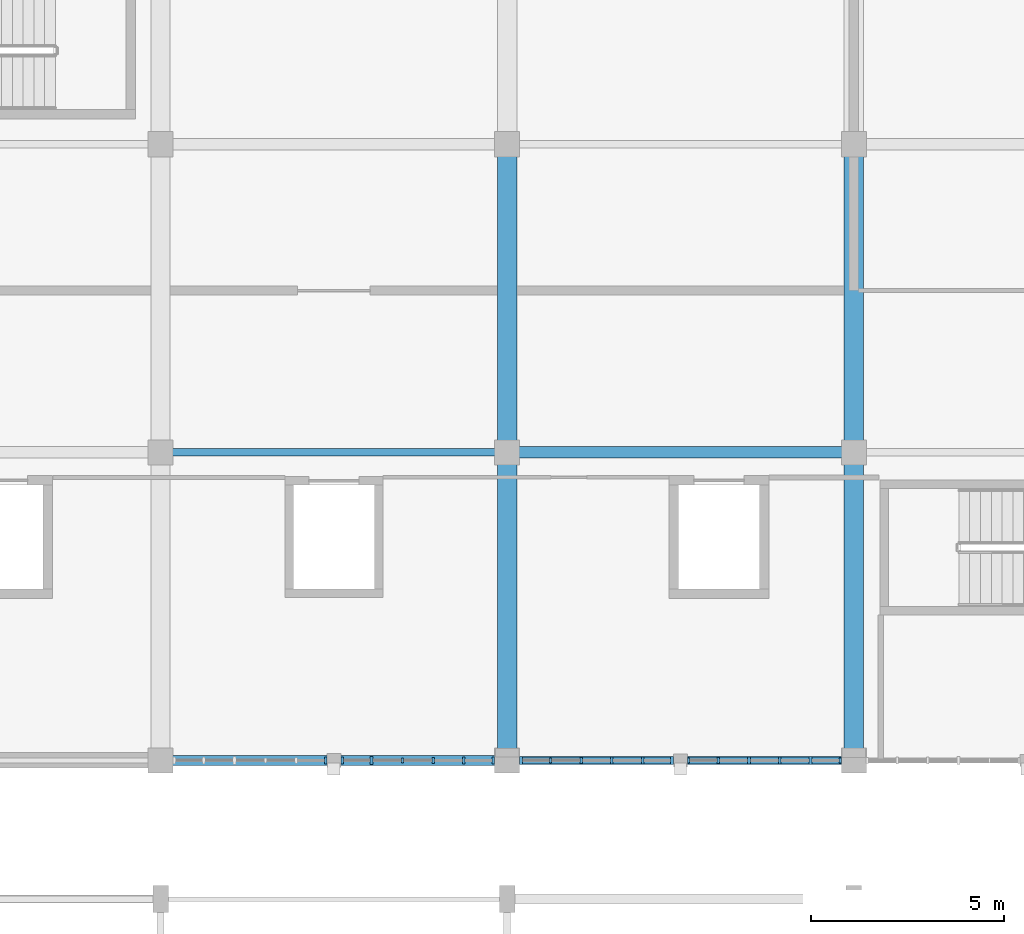
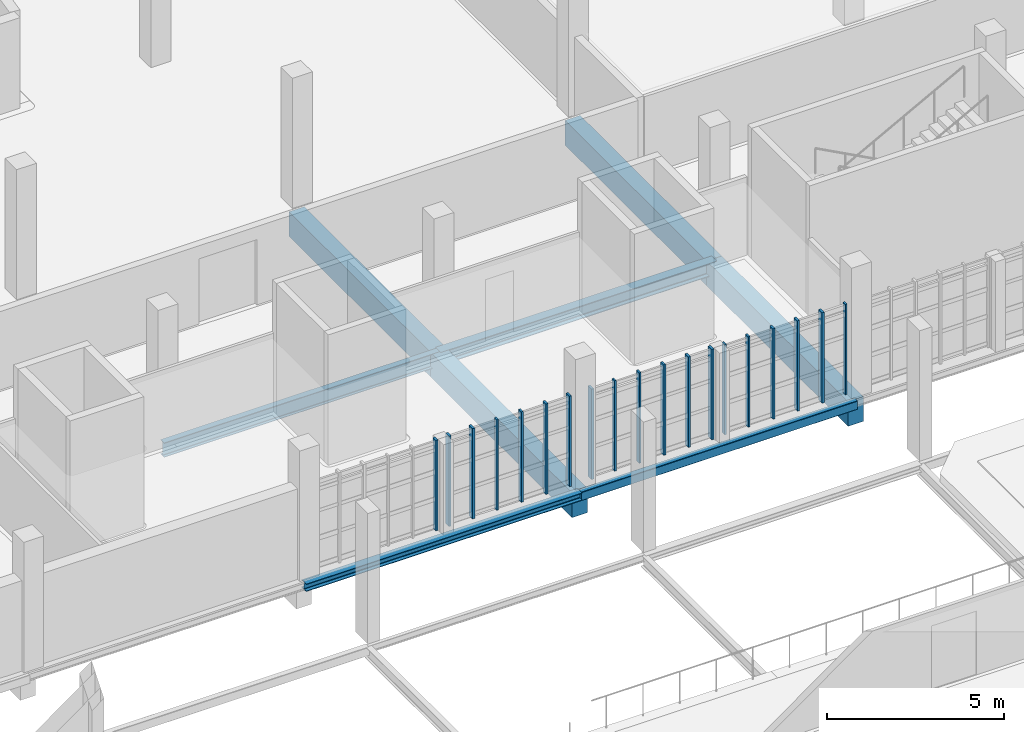
# One storey, part 20 of 125: 19 members, 8 beams, 4 elements without a shape of their own.
"""IFC4 building model written with IfcOpenShell, lengths in metres."""

from ifc_helpers import new_model, si_unit, direction, frame, origin, origin_2d, place, context, subcontext, project, spatial, rectangle, hollow_rectangle, i_section, extrude, material, material_profile, profile_set, type_object, element, aggregate, save


model = new_model("IFC4")

# Units and contexts
model_context = context("Model", 3, precision=1e-05, world=origin(), true_north=direction((0.0, 1.0)))
body_context = subcontext(model_context, "Body", "Model", "MODEL_VIEW")
ifc_project = project(units=[si_unit("LENGTHUNIT", "METRE"), si_unit("AREAUNIT", "SQUARE_METRE"), si_unit("VOLUMEUNIT", "CUBIC_METRE"), si_unit("PLANEANGLEUNIT", "RADIAN"), si_unit("MASSUNIT", "GRAM", prefix="KILO")], contexts=[model_context])

# Site, building, storey
site_placement = place(None, origin())
site = spatial("IfcSite", under=ifc_project, at=site_placement, CompositionType="ELEMENT")
building_placement = place(site_placement, origin())
building = spatial("IfcBuilding", under=site, at=building_placement, Name="Serraforn Aerial Cableway Station", CompositionType="ELEMENT")
storey_placement = place(building_placement, frame((0.0, 0.0, 4.5)))
storey = spatial("IfcBuildingStorey", under=building, at=storey_placement, Name="L01", CompositionType="ELEMENT", Elevation=4.5)

# Beams
ifc_material_1 = material(Name="Concrete C35/45", Category="concrete")
ifc_material_profile_1 = material_profile(ifc_material_1, rectangle(XDim=0.5, YDim=0.85009765625, at=origin_2d()), Name="RC 500x850")
ifc_profile_set_1 = profile_set([ifc_material_profile_1], Name="Concrete C35/45")
beam_type_1 = type_object("IfcBeamType", Name="BM-RC-500x850", PredefinedType="USERDEFINED", material=ifc_profile_set_1)
for number, where, z_axis, x_axis, name in (
    (1, (54.60009765625, 18.0, -0.7451171875), (0.0, 1.0, 0.0), (-1.0, 0.0, 0.0), "Grid Girder Y CV L01 X4-1"),
    (2, (54.60009765625, 26.0, -0.7451171875), (0.0, 1.0, 0.0), (-1.0, 0.0, 0.0), "Grid Girder Y CV L01 X4-2"),
    (3, (63.60009765625, 18.0, -0.7451171875), (0.0, 1.0, 0.0), (-1.0, 0.0, 0.0), "Grid Girder Y CV L01 X5-1"),
    (4, (63.60009765625, 26.0, -0.7451171875), (0.0, 1.0, 0.0), (-1.0, 0.0, 0.0), "Grid Girder Y CV L01 X5-2"),
):
    element("IfcBeam", number, at=place(storey_placement, frame(where, z_axis=z_axis, x_axis=x_axis)), inside=storey, type_object=beam_type_1, Name=name, ObjectType="GIRDER", PredefinedType="USERDEFINED", context=body_context, shape_type="SweptSolid", body=[
        extrude(rectangle(XDim=0.5, YDim=0.85009765625, at=origin_2d()), origin(), (0.0, 0.0, 1.0), 8.0),
    ])
ifc_material_2 = material(Name="Steel S355JR", Category="steel")
ifc_material_profile_2 = material_profile(ifc_material_2, i_section(OverallWidth=0.300048828125, OverallDepth=0.449951171875, WebThickness=0.011474609375, FlangeThickness=0.02099609375, FilletRadius=0.027099609375, at=origin_2d()), Name="HEA 450")
ifc_profile_set_2 = profile_set([ifc_material_profile_2], Name="Steel S355JR")
beam_type_2 = type_object("IfcBeamType", Name="BM-ST-HEA450", PredefinedType="USERDEFINED", material=ifc_profile_set_2)
beam_1_placement = place(storey_placement, frame((54.60009765625, 26.0, -0.544921875), z_axis=(1.0, 0.0, 0.0), x_axis=(0.0, 1.0, 0.0)))
element("IfcBeam", 5, at=beam_1_placement, inside=storey, type_object=beam_type_2, Name="Grid Girder X CV L01 Y2-4", ObjectType="GIRDER", PredefinedType="USERDEFINED", context=body_context, shape_type="SweptSolid", body=[
    extrude(i_section(OverallWidth=0.300048828125, OverallDepth=0.449951171875, WebThickness=0.011474609375, FlangeThickness=0.02099609375, FilletRadius=0.027099609375, at=origin_2d()), origin(), (0.0, 0.0, 1.0), 9.0),
])
ifc_material_3 = material(Name="Steel S355J2", Category="steel")
ifc_material_profile_3 = material_profile(ifc_material_3, i_section(OverallWidth=0.260009765625, OverallDepth=0.260009765625, WebThickness=0.010009765625, FlangeThickness=0.017578125, FilletRadius=0.02392578125, at=origin_2d()), Name="HEB 260")
ifc_profile_set_3 = profile_set([ifc_material_profile_3], Name="Steel S355J2")
beam_type_3 = type_object("IfcBeamType", Name="BM-ST-HEB260", PredefinedType="BEAM", material=ifc_profile_set_3)
beam_2_placement = place(storey_placement, frame((45.60009765625, 18.0, -0.449951171875), z_axis=(1.0, 0.0, 0.0), x_axis=(0.0, 1.0, 0.0)))
element("IfcBeam", 6, at=beam_2_placement, inside=storey, type_object=beam_type_3, Name="Grid Girder X CV L01 Y1-3", PredefinedType="BEAM", context=body_context, shape_type="SweptSolid", body=[
    extrude(i_section(OverallWidth=0.260009765625, OverallDepth=0.260009765625, WebThickness=0.010009765625, FlangeThickness=0.017578125, FilletRadius=0.02392578125, at=origin_2d()), origin(), (0.0, 0.0, 1.0), 9.0),
])
ifc_material_profile_4 = material_profile(ifc_material_2, i_section(OverallWidth=0.199951171875, OverallDepth=0.5, WebThickness=0.01025390625, FlangeThickness=0.01611328125, FilletRadius=0.02099609375, at=origin_2d()), Name="IPE 500")
ifc_profile_set_4 = profile_set([ifc_material_profile_4], Name="Steel S355JR")
beam_type_4 = type_object("IfcBeamType", Name="BM-ST-IPE500", PredefinedType="USERDEFINED", material=ifc_profile_set_4)
beam_3_placement = place(storey_placement, frame((45.60009765625, 26.0, -0.570068359375), z_axis=(1.0, 0.0, 0.0), x_axis=(0.0, 1.0, 0.0)))
element("IfcBeam", 7, at=beam_3_placement, inside=storey, type_object=beam_type_4, Name="Grid Girder X CV L01 Y2-3", ObjectType="GIRDER", PredefinedType="USERDEFINED", context=body_context, shape_type="SweptSolid", body=[
    extrude(i_section(OverallWidth=0.199951171875, OverallDepth=0.5, WebThickness=0.01025390625, FlangeThickness=0.01611328125, FilletRadius=0.02099609375, at=origin_2d()), origin(), (0.0, 0.0, 1.0), 9.0),
])
ifc_material_profile_5 = material_profile(ifc_material_3, hollow_rectangle(XDim=0.199951171875, YDim=0.300048828125, WallThickness=0.012451171875, InnerFilletRadius=0.012451171875, OuterFilletRadius=0.02490234375, at=origin_2d()), Name="RHS 300x200x12.5")
ifc_profile_set_5 = profile_set([ifc_material_profile_5], Name="Steel S355J2")
beam_type_5 = type_object("IfcBeamType", Name="BM-ST-RHS300", PredefinedType="SPANDREL", material=ifc_profile_set_5)
beam_4_placement = place(storey_placement, frame((54.60009765625, 18.0, -0.469970703125), z_axis=(1.0, 0.0, 0.0), x_axis=(0.0, 1.0, 0.0)))
element("IfcBeam", 8, at=beam_4_placement, inside=storey, type_object=beam_type_5, Name="Grid Girder X CV L01 Y1-4", PredefinedType="SPANDREL", context=body_context, shape_type="SweptSolid", body=[
    extrude(hollow_rectangle(XDim=0.199951171875, YDim=0.300048828125, WallThickness=0.012451171875, InnerFilletRadius=0.012451171875, OuterFilletRadius=0.02490234375, at=origin_2d()), origin(), (0.0, 0.0, 1.0), 9.0),
])

# Curtain wall, member
ifc_material_4 = material(Name="Anodised bronze unitised curtain wall")
curtain_wall_type_1 = type_object("IfcCurtainWallType", Name="CW-SYS-22", PredefinedType="USERDEFINED", material=ifc_material_4)
curtain_wall_1_placement = place(storey_placement, origin())
curtain_wall_1 = element("IfcCurtainWall", 9, at=curtain_wall_1_placement, inside=storey, type_object=curtain_wall_type_1, Name="Unitised Curtain Wall CW-CV-L01-S3B", ObjectType="UNITISED CURTAIN WALL", PredefinedType="USERDEFINED")
ifc_material_5 = material(Name="Anodised bronze extruded aluminium", Category="aluminium")
ifc_material_profile_6 = material_profile(ifc_material_5, rectangle(XDim=0.054931640625, YDim=0.139892578125, at=origin_2d()), Name="CW MULLION 55x140")
ifc_profile_set_6 = profile_set([ifc_material_profile_6], Name="Anodised bronze extruded aluminium")
member_type_1 = type_object("IfcMemberType", Name="CW-MUL-1", PredefinedType="MULLION", material=ifc_profile_set_6)
member_1_placement = place(storey_placement, frame((51.87890625, 18.0, 0.0), z_axis=(0.0, 0.0, 1.0), x_axis=(1.0, 0.0, 0.0)))
member_1 = element("IfcMember", 10, at=member_1_placement, type_object=member_type_1, Name="Curtain Wall Mullion CW-CV-L01-S3B-M3", PredefinedType="MULLION", context=body_context, shape_type="SweptSolid", body=[
    extrude(rectangle(XDim=0.054931640625, YDim=0.139892578125, at=origin_2d()), origin(), (0.0, 0.0, 1.0), 3.1201171875),
])

curtain_wall_type_2 = type_object("IfcCurtainWallType", Name="CW-SYS-23", PredefinedType="USERDEFINED", material=ifc_material_4)
curtain_wall_2_placement = place(storey_placement, origin())
curtain_wall_2 = element("IfcCurtainWall", 11, at=curtain_wall_2_placement, inside=storey, type_object=curtain_wall_type_2, Name="Unitised Curtain Wall CW-CV-L01-S4A", ObjectType="UNITISED CURTAIN WALL", PredefinedType="USERDEFINED")
member_2_placement = place(storey_placement, frame((55.722412109375, 18.0, 0.0), z_axis=(0.0, 0.0, 1.0), x_axis=(1.0, 0.0, 0.0)))
member_2 = element("IfcMember", 12, at=member_2_placement, type_object=member_type_1, Name="Curtain Wall Mullion CW-CV-L01-S4A-M2", PredefinedType="MULLION", context=body_context, shape_type="SweptSolid", body=[
    extrude(rectangle(XDim=0.054931640625, YDim=0.139892578125, at=origin_2d()), origin(), (0.0, 0.0, 1.0), 3.1201171875),
])

# Curtain wall, members
curtain_wall_type_3 = type_object("IfcCurtainWallType", Name="CW-SYS-24", PredefinedType="USERDEFINED", material=ifc_material_4)
curtain_wall_3_placement = place(storey_placement, origin())
curtain_wall_3 = element("IfcCurtainWall", 13, at=curtain_wall_3_placement, inside=storey, type_object=curtain_wall_type_3, Name="Unitised Curtain Wall CW-CV-L01-S4B", ObjectType="UNITISED CURTAIN WALL", PredefinedType="USERDEFINED")
member_3_placement = place(storey_placement, frame((59.3076171875, 18.0, 0.0), z_axis=(0.0, 0.0, 1.0), x_axis=(1.0, 0.0, 0.0)))
member_3 = element("IfcMember", 14, at=member_3_placement, type_object=member_type_1, Name="Curtain Wall Mullion CW-CV-L01-S4B-M1", PredefinedType="MULLION", context=body_context, shape_type="SweptSolid", body=[
    extrude(rectangle(XDim=0.054931640625, YDim=0.139892578125, at=origin_2d()), origin(), (0.0, 0.0, 1.0), 3.1201171875),
])
member_4_placement = place(storey_placement, frame((63.24951171875, 18.0, 0.0), z_axis=(0.0, 0.0, 1.0), x_axis=(1.0, 0.0, 0.0)))
member_4 = element("IfcMember", 15, at=member_4_placement, type_object=member_type_1, Name="Curtain Wall Mullion CW-CV-L01-S4B-M6", PredefinedType="MULLION", context=body_context, shape_type="SweptSolid", body=[
    extrude(rectangle(XDim=0.054931640625, YDim=0.139892578125, at=origin_2d()), origin(), (0.0, 0.0, 1.0), 3.1201171875),
])

# Member
ifc_material_profile_7 = material_profile(ifc_material_5, rectangle(XDim=0.06005859375, YDim=0.159912109375, at=origin_2d()), Name="CW MULLION 60x160")
ifc_profile_set_7 = profile_set([ifc_material_profile_7], Name="Anodised bronze extruded aluminium")
member_type_2 = type_object("IfcMemberType", Name="CW-MUL-2", PredefinedType="MULLION", material=ifc_profile_set_7)
member_5_placement = place(storey_placement, frame((52.67822265625, 18.0, 0.0), z_axis=(0.0, 0.0, 1.0), x_axis=(1.0, 0.0, 0.0)))
member_5 = element("IfcMember", 16, at=member_5_placement, type_object=member_type_2, Name="Curtain Wall Mullion CW-CV-L01-S3B-M4", PredefinedType="MULLION", context=body_context, shape_type="SweptSolid", body=[
    extrude(rectangle(XDim=0.06005859375, YDim=0.159912109375, at=origin_2d()), origin(), (0.0, 0.0, 1.0), 3.1201171875),
])

member_6_placement = place(storey_placement, frame((56.521728515625, 18.0, 0.0), z_axis=(0.0, 0.0, 1.0), x_axis=(1.0, 0.0, 0.0)))
member_6 = element("IfcMember", 17, at=member_6_placement, type_object=member_type_2, Name="Curtain Wall Mullion CW-CV-L01-S4A-M3", PredefinedType="MULLION", context=body_context, shape_type="SweptSolid", body=[
    extrude(rectangle(XDim=0.06005859375, YDim=0.159912109375, at=origin_2d()), origin(), (0.0, 0.0, 1.0), 3.1201171875),
])

member_7_placement = place(storey_placement, frame((60.079345703125, 18.0, 0.0), z_axis=(0.0, 0.0, 1.0), x_axis=(1.0, 0.0, 0.0)))
member_7 = element("IfcMember", 18, at=member_7_placement, type_object=member_type_2, Name="Curtain Wall Mullion CW-CV-L01-S4B-M2", PredefinedType="MULLION", context=body_context, shape_type="SweptSolid", body=[
    extrude(rectangle(XDim=0.06005859375, YDim=0.159912109375, at=origin_2d()), origin(), (0.0, 0.0, 1.0), 3.1201171875),
])

# Curtain wall, member
curtain_wall_type_4 = type_object("IfcCurtainWallType", Name="CW-SYS-21", PredefinedType="USERDEFINED", material=ifc_material_4)
curtain_wall_4_placement = place(storey_placement, origin())
curtain_wall_4 = element("IfcCurtainWall", 19, at=curtain_wall_4_placement, inside=storey, type_object=curtain_wall_type_4, Name="Unitised Curtain Wall CW-CV-L01-S3A", ObjectType="UNITISED CURTAIN WALL", PredefinedType="USERDEFINED")
ifc_material_profile_8 = material_profile(ifc_material_5, rectangle(XDim=0.06494140625, YDim=0.175048828125, at=origin_2d()), Name="CW MULLION 65x175")
ifc_profile_set_8 = profile_set([ifc_material_profile_8], Name="Anodised bronze extruded aluminium")
member_type_3 = type_object("IfcMemberType", Name="CW-MUL-3", PredefinedType="MULLION", material=ifc_profile_set_8)
member_8_placement = place(storey_placement, frame((49.887451171875, 18.0, 0.0), z_axis=(0.0, 0.0, 1.0), x_axis=(1.0, 0.0, 0.0)))
member_8 = element("IfcMember", 20, at=member_8_placement, type_object=member_type_3, Name="Curtain Wall Mullion CW-CV-L01-S3A-M6", PredefinedType="MULLION", context=body_context, shape_type="SweptSolid", body=[
    extrude(rectangle(XDim=0.06494140625, YDim=0.175048828125, at=origin_2d()), origin(), (0.0, 0.0, 1.0), 3.1201171875),
])
aggregate(curtain_wall_4, [member_8])

# Member
member_9_placement = place(storey_placement, frame((53.4775390625, 18.0, 0.0), z_axis=(0.0, 0.0, 1.0), x_axis=(1.0, 0.0, 0.0)))
member_9 = element("IfcMember", 21, at=member_9_placement, type_object=member_type_3, Name="Curtain Wall Mullion CW-CV-L01-S3B-M5", PredefinedType="MULLION", context=body_context, shape_type="SweptSolid", body=[
    extrude(rectangle(XDim=0.06494140625, YDim=0.175048828125, at=origin_2d()), origin(), (0.0, 0.0, 1.0), 3.1201171875),
])

member_10_placement = place(storey_placement, frame((57.3212890625, 18.0, 0.0), z_axis=(0.0, 0.0, 1.0), x_axis=(1.0, 0.0, 0.0)))
member_10 = element("IfcMember", 22, at=member_10_placement, type_object=member_type_3, Name="Curtain Wall Mullion CW-CV-L01-S4A-M4", PredefinedType="MULLION", context=body_context, shape_type="SweptSolid", body=[
    extrude(rectangle(XDim=0.06494140625, YDim=0.175048828125, at=origin_2d()), origin(), (0.0, 0.0, 1.0), 3.1201171875),
])

member_11_placement = place(storey_placement, frame((60.87890625, 18.0, 0.0), z_axis=(0.0, 0.0, 1.0), x_axis=(1.0, 0.0, 0.0)))
member_11 = element("IfcMember", 23, at=member_11_placement, type_object=member_type_3, Name="Curtain Wall Mullion CW-CV-L01-S4B-M3", PredefinedType="MULLION", context=body_context, shape_type="SweptSolid", body=[
    extrude(rectangle(XDim=0.06494140625, YDim=0.175048828125, at=origin_2d()), origin(), (0.0, 0.0, 1.0), 3.1201171875),
])

ifc_material_profile_9 = material_profile(ifc_material_5, rectangle(XDim=0.070068359375, YDim=0.18994140625, at=origin_2d()), Name="CW MULLION 70x190")
ifc_profile_set_9 = profile_set([ifc_material_profile_9], Name="Anodised bronze extruded aluminium")
member_type_4 = type_object("IfcMemberType", Name="CW-MUL-4", PredefinedType="MULLION", material=ifc_profile_set_9)
member_12_placement = place(storey_placement, frame((50.31494140625, 18.0, 0.0), z_axis=(0.0, 0.0, 1.0), x_axis=(1.0, 0.0, 0.0)))
member_12 = element("IfcMember", 24, at=member_12_placement, type_object=member_type_4, Name="Curtain Wall Mullion CW-CV-L01-S3B-M1", PredefinedType="MULLION", context=body_context, shape_type="SweptSolid", body=[
    extrude(rectangle(XDim=0.070068359375, YDim=0.18994140625, at=origin_2d()), origin(), (0.0, 0.0, 1.0), 3.1201171875),
])

member_13_placement = place(storey_placement, frame((54.241943359375, 18.0, 0.0), z_axis=(0.0, 0.0, 1.0), x_axis=(1.0, 0.0, 0.0)))
member_13 = element("IfcMember", 25, at=member_13_placement, type_object=member_type_4, Name="Curtain Wall Mullion CW-CV-L01-S3B-M6", PredefinedType="MULLION", context=body_context, shape_type="SweptSolid", body=[
    extrude(rectangle(XDim=0.070068359375, YDim=0.18994140625, at=origin_2d()), origin(), (0.0, 0.0, 1.0), 3.1201171875),
])

member_14_placement = place(storey_placement, frame((58.12060546875, 18.0, 0.0), z_axis=(0.0, 0.0, 1.0), x_axis=(1.0, 0.0, 0.0)))
member_14 = element("IfcMember", 26, at=member_14_placement, type_object=member_type_4, Name="Curtain Wall Mullion CW-CV-L01-S4A-M5", PredefinedType="MULLION", context=body_context, shape_type="SweptSolid", body=[
    extrude(rectangle(XDim=0.070068359375, YDim=0.18994140625, at=origin_2d()), origin(), (0.0, 0.0, 1.0), 3.1201171875),
])

member_15_placement = place(storey_placement, frame((61.67822265625, 18.0, 0.0), z_axis=(0.0, 0.0, 1.0), x_axis=(1.0, 0.0, 0.0)))
member_15 = element("IfcMember", 27, at=member_15_placement, type_object=member_type_4, Name="Curtain Wall Mullion CW-CV-L01-S4B-M4", PredefinedType="MULLION", context=body_context, shape_type="SweptSolid", body=[
    extrude(rectangle(XDim=0.070068359375, YDim=0.18994140625, at=origin_2d()), origin(), (0.0, 0.0, 1.0), 3.1201171875),
])

ifc_material_profile_10 = material_profile(ifc_material_5, rectangle(XDim=0.074951171875, YDim=0.199951171875, at=origin_2d()), Name="CW MULLION 75x200")
ifc_profile_set_10 = profile_set([ifc_material_profile_10], Name="Anodised bronze extruded aluminium")
member_type_5 = type_object("IfcMemberType", Name="CW-MUL-5", PredefinedType="MULLION", material=ifc_profile_set_10)
member_16_placement = place(storey_placement, frame((51.079345703125, 18.0, 0.0), z_axis=(0.0, 0.0, 1.0), x_axis=(1.0, 0.0, 0.0)))
member_16 = element("IfcMember", 28, at=member_16_placement, type_object=member_type_5, Name="Curtain Wall Mullion CW-CV-L01-S3B-M2", PredefinedType="MULLION", context=body_context, shape_type="SweptSolid", body=[
    extrude(rectangle(XDim=0.074951171875, YDim=0.199951171875, at=origin_2d()), origin(), (0.0, 0.0, 1.0), 3.1201171875),
])

aggregate(curtain_wall_1, [member_12, member_16, member_1, member_5, member_9, member_13])

member_17_placement = place(storey_placement, frame((54.96044921875, 18.0, 0.0), z_axis=(0.0, 0.0, 1.0), x_axis=(1.0, 0.0, 0.0)))
member_17 = element("IfcMember", 29, at=member_17_placement, type_object=member_type_5, Name="Curtain Wall Mullion CW-CV-L01-S4A-M1", PredefinedType="MULLION", context=body_context, shape_type="SweptSolid", body=[
    extrude(rectangle(XDim=0.074951171875, YDim=0.199951171875, at=origin_2d()), origin(), (0.0, 0.0, 1.0), 3.1201171875),
])

member_18_placement = place(storey_placement, frame((58.882568359375, 18.0, 0.0), z_axis=(0.0, 0.0, 1.0), x_axis=(1.0, 0.0, 0.0)))
member_18 = element("IfcMember", 30, at=member_18_placement, type_object=member_type_5, Name="Curtain Wall Mullion CW-CV-L01-S4A-M6", PredefinedType="MULLION", context=body_context, shape_type="SweptSolid", body=[
    extrude(rectangle(XDim=0.074951171875, YDim=0.199951171875, at=origin_2d()), origin(), (0.0, 0.0, 1.0), 3.1201171875),
])

aggregate(curtain_wall_2, [member_17, member_2, member_6, member_10, member_14, member_18])

member_19_placement = place(storey_placement, frame((62.4775390625, 18.0, 0.0), z_axis=(0.0, 0.0, 1.0), x_axis=(1.0, 0.0, 0.0)))
member_19 = element("IfcMember", 31, at=member_19_placement, type_object=member_type_5, Name="Curtain Wall Mullion CW-CV-L01-S4B-M5", PredefinedType="MULLION", context=body_context, shape_type="SweptSolid", body=[
    extrude(rectangle(XDim=0.074951171875, YDim=0.199951171875, at=origin_2d()), origin(), (0.0, 0.0, 1.0), 3.1201171875),
])

aggregate(curtain_wall_3, [member_3, member_7, member_11, member_15, member_19, member_4])

save(model, "model.ifc")
